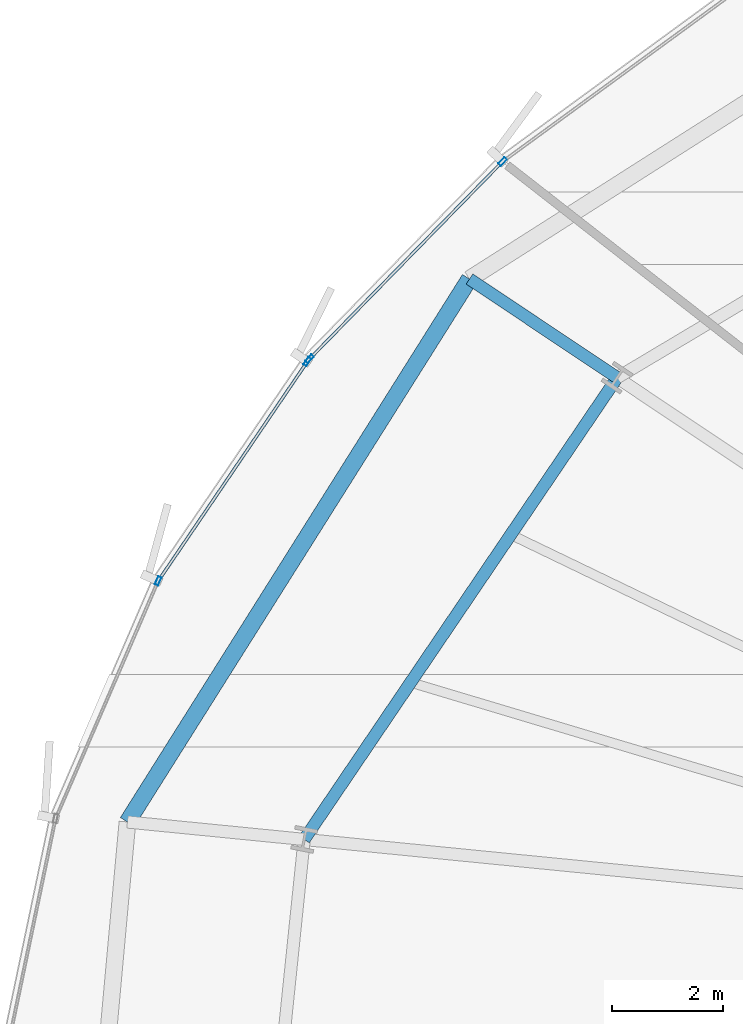
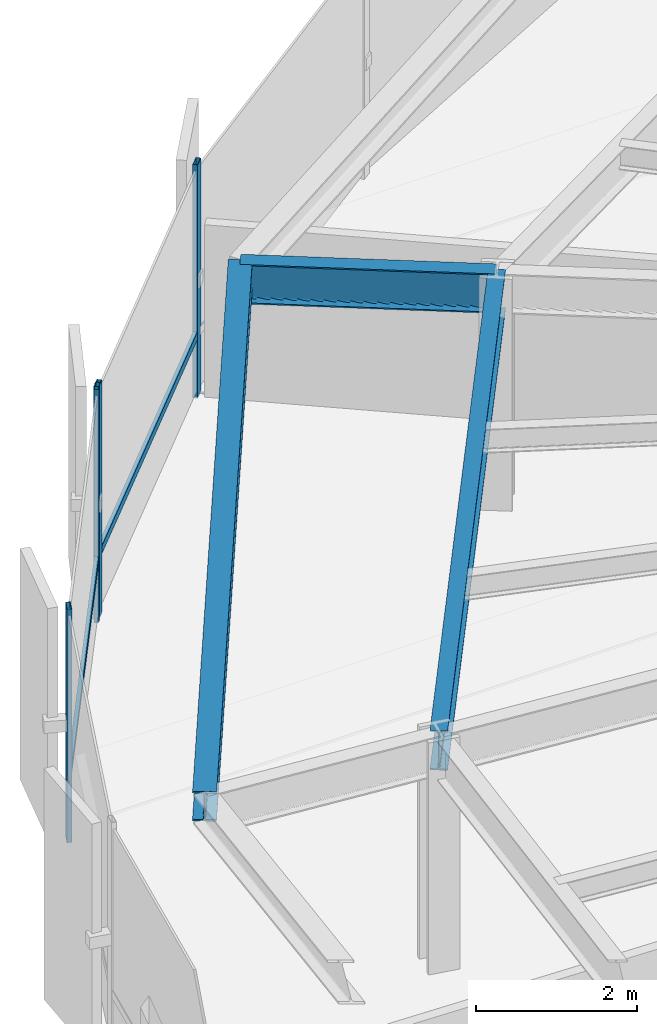
# One storey, part 18 of 37: 6 members, 3 beams, 2 elements without a shape of their own.
"""IFC4 building model written with IfcOpenShell, lengths in metres."""

from ifc_helpers import new_model, si_unit, direction, frame, origin, origin_2d, place, context, subcontext, project, spatial, hollow_rectangle, i_section, extrude, source, transform, mapped, material, layer, layer_set, material_profile, profile_set, type_object, element, aggregate, save


model = new_model("IFC4")

# Units and contexts
model_context = context("Model", 3, precision=1e-05, world=origin(), true_north=direction((0.0, 1.0)))
body_context = subcontext(model_context, "Body", "Model", "MODEL_VIEW")
ifc_project = project(units=[si_unit("LENGTHUNIT", "METRE"), si_unit("AREAUNIT", "SQUARE_METRE"), si_unit("VOLUMEUNIT", "CUBIC_METRE"), si_unit("PLANEANGLEUNIT", "RADIAN"), si_unit("MASSUNIT", "GRAM", prefix="KILO"), si_unit("THERMODYNAMICTEMPERATUREUNIT", "KELVIN")], contexts=[model_context])

# Site, building, storey
site_placement = place(None, origin())
site = spatial("IfcSite", under=ifc_project, at=site_placement, CompositionType="ELEMENT")
building_placement = place(site_placement, origin())
building = spatial("IfcBuilding", under=site, at=building_placement, Name="Kethvar Cultural Tower", CompositionType="ELEMENT")
storey_placement = place(building_placement, frame((0.0, 0.0, 56.199951171875)))
storey = spatial("IfcBuildingStorey", under=building, at=storey_placement, Name="L13", CompositionType="ELEMENT", Elevation=56.199951171875)

# Beams
ifc_material_1 = material(Name="Steel S355J2", Category="steel")
ifc_material_profile_1 = material_profile(ifc_material_1, i_section(OverallWidth=0.219970703125, OverallDepth=0.60009765625, WebThickness=0.011962890625, FlangeThickness=0.01904296875, FilletRadius=0.02392578125, at=origin_2d()), Name="Steel S355J2 — IPE600")
ifc_profile_set_1 = profile_set([ifc_material_profile_1], Name="Steel S355J2 — IPE600")
beam_type_1 = type_object("IfcBeamType", Name="BM-IPE600", PredefinedType="BEAM", material=ifc_profile_set_1)
shared_shape_1 = source(origin(), body_context, "Body", "SweptSolid", [
    extrude(i_section(OverallWidth=0.219970703125, OverallDepth=0.60009765625, WebThickness=0.011962890625, FlangeThickness=0.01904296875, FilletRadius=0.02392578125, at=origin_2d()), origin(), (0.0, 0.0, 1.0), 3.199951171875),
])
beam_1_placement = place(storey_placement, frame((26.6845703125, 41.24072265625, 3.248046875), z_axis=(-0.831462943996, 0.555580212716, 0.0), x_axis=(-0.555580212716, -0.831462943996, 0.0)))
element("IfcBeam", 1, at=beam_1_placement, inside=storey, type_object=beam_type_1, Name="L13 Perimeter Cantilever Beam RC-07", PredefinedType="BEAM", context=body_context, shape_type="MappedRepresentation", body=[
    mapped(shared_shape_1, transform((0.0, 0.0, 0.0), scale=1.0)),
])
shared_shape_2 = source(origin(), body_context, "Body", "SweptSolid", [
    extrude(i_section(OverallWidth=0.219970703125, OverallDepth=0.60009765625, WebThickness=0.011962890625, FlangeThickness=0.01904296875, FilletRadius=0.02392578125, at=origin_2d()), origin(), (0.0, 0.0, 1.0), 10.048583984375),
])
beam_2_placement = place(storey_placement, frame((26.6845703125, 41.24072265625, 3.248046875), z_axis=(-0.561025415443, -0.827798576483, 0.0), x_axis=(0.827798576483, -0.561025415443, 0.0)))
element("IfcBeam", 2, at=beam_2_placement, inside=storey, type_object=beam_type_1, Name="L13 Column Ring Tie Beam CR-07", PredefinedType="BEAM", context=body_context, shape_type="MappedRepresentation", body=[
    mapped(shared_shape_2, transform((0.0, 0.0, 0.0), scale=1.0)),
])
ifc_material_profile_2 = material_profile(ifc_material_1, i_section(OverallWidth=0.300048828125, OverallDepth=0.449951171875, WebThickness=0.013916015625, FlangeThickness=0.02587890625, FilletRadius=0.027099609375, at=origin_2d()), Name="Steel S355J2 — HEB450")
ifc_profile_set_2 = profile_set([ifc_material_profile_2], Name="Steel S355J2 — HEB450")
beam_type_2 = type_object("IfcBeamType", Name="BM-SP450", PredefinedType="SPANDREL", material=ifc_profile_set_2)
shared_shape_3 = source(origin(), body_context, "Body", "SweptSolid", [
    extrude(i_section(OverallWidth=0.300048828125, OverallDepth=0.449951171875, WebThickness=0.013916015625, FlangeThickness=0.02587890625, FilletRadius=0.027099609375, at=origin_2d()), origin(), (0.0, 0.0, 1.0), 11.560546875),
])
beam_3_placement = place(storey_placement, frame((24.02392578125, 43.0185546875, 3.322998046875), z_axis=(-0.532968413488, -0.846135137093, 0.0), x_axis=(0.846135137093, -0.532968413488, 0.0)))
element("IfcBeam", 3, at=beam_3_placement, inside=storey, type_object=beam_type_2, Name="L13 Perimeter Spandrel Beam SP-07", PredefinedType="SPANDREL", context=body_context, shape_type="MappedRepresentation", body=[
    mapped(shared_shape_3, transform((0.0, 0.0, 0.0), scale=1.0)),
])

# Curtain wall, members
ifc_material_2 = material(Name="Aluminium 6063-T6", Category="aluminium")
ifc_layer = layer(ifc_material_2, 0.179931640625, Name="Aluminium 6063-T6", Category="aluminium")
ifc_layer_set = layer_set([ifc_layer], Name="Aluminium 6063-T6 (180 mm)")
curtain_wall_type = type_object("IfcCurtainWallType", Name="CW-SYS-02-Z1", PredefinedType="NOTDEFINED", material=ifc_layer_set)
curtain_wall_1_placement = place(storey_placement, origin())
curtain_wall_1 = element("IfcCurtainWall", 4, at=curtain_wall_1_placement, inside=storey, type_object=curtain_wall_type, Name="L13 Curtain Wall Run 03", PredefinedType="NOTDEFINED")
ifc_material_profile_3 = material_profile(ifc_material_2, hollow_rectangle(XDim=0.06494140625, YDim=0.159912109375, WallThickness=0.0048828125, at=origin_2d()), Name="Aluminium 6063-T6 — RHS160x65x5")
ifc_profile_set_3 = profile_set([ifc_material_profile_3], Name="Aluminium 6063-T6 — RHS160x65x5")
member_type_1 = type_object("IfcMemberType", Name="CW-SYS-02-Z1-MUL", PredefinedType="MULLION", material=ifc_profile_set_3)
shared_shape_4 = source(origin(), body_context, "Body", "SweptSolid", [
    extrude(hollow_rectangle(XDim=0.06494140625, YDim=0.159912109375, WallThickness=0.0048828125, at=origin_2d()), origin(), (0.0, 0.0, 1.0), 3.550048828125),
])
member_1_placement = place(storey_placement, frame((24.619140625, 45.133056640625, 0.0), z_axis=(0.0, 0.0, 1.0), x_axis=(0.715009771777, -0.699114458628, 0.0)))
member_1 = element("IfcMember", 5, at=member_1_placement, type_object=member_type_1, Name="CW-L13-R03 Mullion 6", PredefinedType="MULLION", context=body_context, shape_type="MappedRepresentation", body=[
    mapped(shared_shape_4, transform((0.0, 0.0, 0.0), scale=1.0)),
])
member_2_placement = place(storey_placement, frame((21.1435546875, 41.578369140625, 0.0), z_axis=(0.0, 0.0, 1.0), x_axis=(0.715009771777, -0.699114458628, 0.0)))
member_2 = element("IfcMember", 6, at=member_2_placement, type_object=member_type_1, Name="CW-L13-R03 Mullion 7", PredefinedType="MULLION", context=body_context, shape_type="MappedRepresentation", body=[
    mapped(shared_shape_4, transform((0.0, 0.0, 0.0), scale=1.0)),
])

curtain_wall_2_placement = place(storey_placement, origin())
curtain_wall_2 = element("IfcCurtainWall", 7, at=curtain_wall_2_placement, inside=storey, type_object=curtain_wall_type, Name="L13 Curtain Wall Run 04", PredefinedType="NOTDEFINED")
member_3_placement = place(storey_placement, frame((21.103759765625, 41.52978515625, 0.0), z_axis=(0.0, 0.0, 1.0), x_axis=(0.827051142524, -0.562126682919, 0.0)))
member_3 = element("IfcMember", 8, at=member_3_placement, type_object=member_type_1, Name="CW-L13-R04 Mullion 1", PredefinedType="MULLION", context=body_context, shape_type="MappedRepresentation", body=[
    mapped(shared_shape_4, transform((0.0, 0.0, 0.0), scale=1.0)),
])
member_4_placement = place(storey_placement, frame((18.416259765625, 37.579345703125, 0.0), z_axis=(0.0, 0.0, 1.0), x_axis=(0.91823223621, -0.396042371957, 0.0)))
member_4 = element("IfcMember", 9, at=member_4_placement, type_object=member_type_1, Name="CW-L13-R04 Mullion 2", PredefinedType="MULLION", context=body_context, shape_type="MappedRepresentation", body=[
    mapped(shared_shape_4, transform((0.0, 0.0, 0.0), scale=1.0)),
])

# Member
ifc_material_profile_4 = material_profile(ifc_material_2, hollow_rectangle(XDim=0.054931640625, YDim=0.1201171875, WallThickness=0.00390625, at=origin_2d()), Name="Aluminium 6063-T6 — RHS120x55x4")
ifc_profile_set_4 = profile_set([ifc_material_profile_4], Name="Aluminium 6063-T6 — RHS120x55x4")
member_type_2 = type_object("IfcMemberType", Name="CW-SYS-02-Z1-TRN", PredefinedType="USERDEFINED", material=ifc_profile_set_4)
shared_shape_5 = source(origin(), body_context, "Body", "SweptSolid", [
    extrude(hollow_rectangle(XDim=0.054931640625, YDim=0.1201171875, WallThickness=0.00390625, at=origin_2d()), origin(), (0.0, 0.0, 1.0), 4.919921875),
])
member_5_placement = place(storey_placement, frame((24.58642578125, 45.099609375, 0.949951171875), z_axis=(-0.69912270559, -0.71500170806, 0.0), x_axis=(0.71500170806, -0.69912270559, 0.0)))
member_5 = element("IfcMember", 10, at=member_5_placement, type_object=member_type_2, Name="CW-L13-R03 Transom 6", ObjectType="TRANSOM", PredefinedType="USERDEFINED", context=body_context, shape_type="MappedRepresentation", body=[
    mapped(shared_shape_5, transform((0.0, 0.0, 0.0), scale=1.0)),
])

aggregate(curtain_wall_1, [member_1, member_2, member_5])

shared_shape_6 = source(origin(), body_context, "Body", "SweptSolid", [
    extrude(hollow_rectangle(XDim=0.054931640625, YDim=0.1201171875, WallThickness=0.00390625, at=origin_2d()), origin(), (0.0, 0.0, 1.0), 4.7490234375),
])
member_6_placement = place(storey_placement, frame((21.10107421875, 41.52587890625, 0.949951171875), z_axis=(-0.56210470603, -0.827066079258, 0.0), x_axis=(0.827066079258, -0.56210470603, 0.0)))
member_6 = element("IfcMember", 11, at=member_6_placement, type_object=member_type_2, Name="CW-L13-R04 Transom 1", ObjectType="TRANSOM", PredefinedType="USERDEFINED", context=body_context, shape_type="MappedRepresentation", body=[
    mapped(shared_shape_6, transform((0.0, 0.0, 0.0), scale=1.0)),
])

aggregate(curtain_wall_2, [member_3, member_4, member_6])

save(model, "model.ifc")
